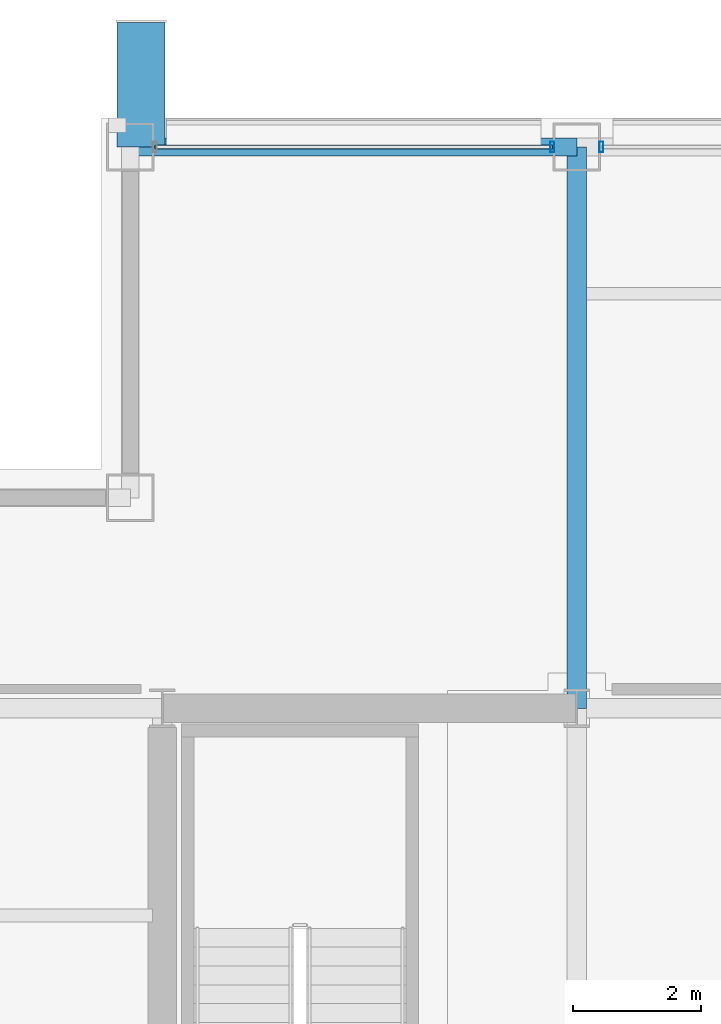
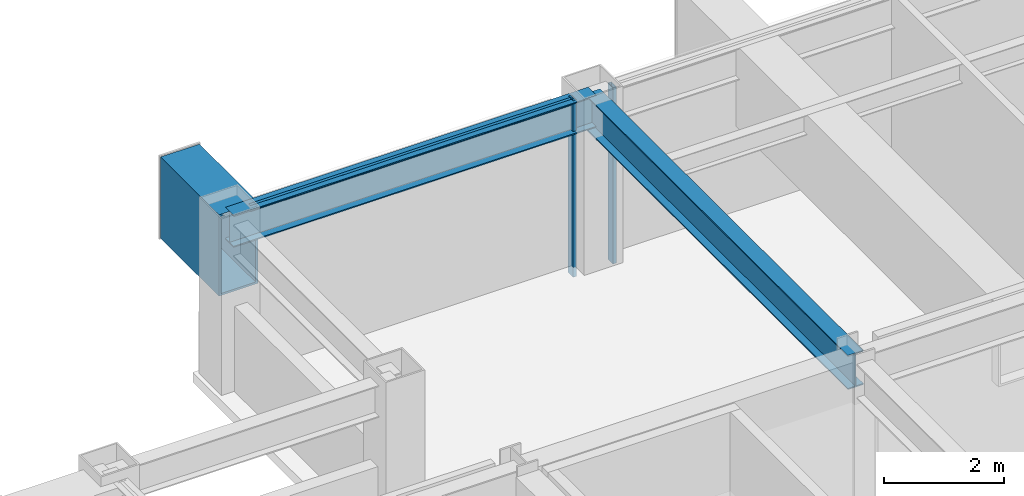
# One storey, part 19 of 28: 3 beams, 3 members, 2 elements without a shape of their own.
"""IFC4 building model written with IfcOpenShell, lengths in metres."""

from ifc_helpers import new_model, si_unit, direction, frame, origin, origin_2d, place, context, subcontext, project, spatial, hollow_rectangle, i_section, extrude, material, layer, layer_set, material_profile, profile_set, type_object, element, aggregate, save


model = new_model("IFC4")

# Units and contexts
model_context = context("Model", 3, precision=1e-05, world=origin(), true_north=direction((0.0, 1.0)))
body_context = subcontext(model_context, "Body", "Model", "MODEL_VIEW")
ifc_project = project(units=[si_unit("LENGTHUNIT", "METRE"), si_unit("AREAUNIT", "SQUARE_METRE"), si_unit("VOLUMEUNIT", "CUBIC_METRE"), si_unit("PLANEANGLEUNIT", "RADIAN"), si_unit("MASSUNIT", "GRAM", prefix="KILO")], contexts=[model_context])

# Site, building, storey
site_placement = place(None, origin())
site = spatial("IfcSite", under=ifc_project, at=site_placement, CompositionType="ELEMENT")
building_placement = place(site_placement, origin())
building = spatial("IfcBuilding", under=site, at=building_placement, Name="Brelmoor Portico Tower", CompositionType="ELEMENT")
storey_placement = place(building_placement, frame((0.0, 0.0, 155.10009765625)))
storey = spatial("IfcBuildingStorey", under=building, at=storey_placement, Name="L40", CompositionType="ELEMENT", Elevation=155.10009765625)

# Beams
ifc_material_1 = material(Name="Steel Q355B", Category="steel")
ifc_material_profile_1 = material_profile(ifc_material_1, hollow_rectangle(XDim=0.75, YDim=1.659912109375, WallThickness=0.0419921875, at=origin_2d()), Name="BOX 750x1660x42")
ifc_profile_set_1 = profile_set([ifc_material_profile_1], Name="Steel Q355B")
beam_type_1 = type_object("IfcBeamType", Name="BM-PF-CANT", PredefinedType="BEAM", material=ifc_profile_set_1)
beam_1_placement = place(storey_placement, frame((-14.8798828125, 18.550048828125, 2.56982421875), z_axis=(0.0, 1.0, 0.0), x_axis=(-1.0, 0.0, 0.0)))
element("IfcBeam", 1, at=beam_1_placement, inside=storey, type_object=beam_type_1, Name="L40 Picture-Frame Outrigger Transfer Cantilever PFB-03", PredefinedType="BEAM", context=body_context, shape_type="SweptSolid", body=[
    extrude(hollow_rectangle(XDim=0.75, YDim=1.659912109375, WallThickness=0.0419921875, at=origin_2d()), origin(), (0.0, 0.0, 1.0), 1.949951171875),
])
ifc_material_profile_2 = material_profile(ifc_material_1, i_section(OverallWidth=0.300048828125, OverallDepth=0.699951171875, WebThickness=0.012939453125, FlangeThickness=0.02392578125, at=origin_2d()), Name="HN 700x300x13x24")
ifc_profile_set_2 = profile_set([ifc_material_profile_2], Name="Steel Q355B")
beam_type_2 = type_object("IfcBeamType", Name="BM-PG-700", PredefinedType="BEAM", material=ifc_profile_set_2)
beam_2_placement = place(storey_placement, frame((-8.050048828125, 9.75, 3.0498046875), z_axis=(0.0, 1.0, 0.0), x_axis=(-1.0, 0.0, 0.0)))
element("IfcBeam", 2, at=beam_2_placement, inside=storey, type_object=beam_type_2, Name="L40 Primary Floor Girder PG-05", PredefinedType="BEAM", context=body_context, shape_type="SweptSolid", body=[
    extrude(i_section(OverallWidth=0.300048828125, OverallDepth=0.699951171875, WebThickness=0.012939453125, FlangeThickness=0.02392578125, at=origin_2d()), origin(), (0.0, 0.0, 1.0), 8.800048828125),
])
ifc_material_profile_3 = material_profile(ifc_material_1, i_section(OverallWidth=0.280029296875, OverallDepth=0.64990234375, WebThickness=0.012939453125, FlangeThickness=0.02197265625, at=origin_2d()), Name="HN 650x280x13x22")
ifc_profile_set_3 = profile_set([ifc_material_profile_3], Name="Steel Q355B")
beam_type_3 = type_object("IfcBeamType", Name="BM-SP-650", PredefinedType="SPANDREL", material=ifc_profile_set_3)
beam_3_placement = place(storey_placement, frame((-15.050048828125, 18.550048828125, 3.074951171875), z_axis=(1.0, 0.0, 0.0), x_axis=(0.0, 1.0, 0.0)))
element("IfcBeam", 3, at=beam_3_placement, inside=storey, type_object=beam_type_3, Name="L40 Perimeter Spandrel Beam SP-08", PredefinedType="SPANDREL", context=body_context, shape_type="SweptSolid", body=[
    extrude(i_section(OverallWidth=0.280029296875, OverallDepth=0.64990234375, WebThickness=0.012939453125, FlangeThickness=0.02197265625, at=origin_2d()), origin(), (0.0, 0.0, 1.0), 7.0),
])

# Curtain wall, member
ifc_material_2 = material(Name="Anodised Aluminium Alloy 6063-T6", Category="aluminium")
ifc_layer = layer(ifc_material_2, 0.179931640625)
ifc_layer_set = layer_set([ifc_layer], Name="Anodised Aluminium Alloy 6063-T6")
curtain_wall_type = type_object("IfcCurtainWallType", Name="CW-TOWER-Z3-XB", PredefinedType="NOTDEFINED", material=ifc_layer_set)
curtain_wall_1_placement = place(storey_placement, origin())
curtain_wall_1 = element("IfcCurtainWall", 4, at=curtain_wall_1_placement, inside=storey, type_object=curtain_wall_type, Name="L40 Curtain Wall CW-L40-02-1", PredefinedType="NOTDEFINED")
ifc_material_profile_4 = material_profile(ifc_material_2, hollow_rectangle(XDim=0.06494140625, YDim=0.1650390625, WallThickness=0.00390625, at=origin_2d()), Name="ALU MULLION 65x165")
ifc_profile_set_4 = profile_set([ifc_material_profile_4], Name="Anodised Aluminium Alloy 6063-T6")
member_type_1 = type_object("IfcMemberType", Name="MB-CW-MULL-165", PredefinedType="MULLION", material=ifc_profile_set_4)
member_1_placement = place(storey_placement, frame((-8.43505859375, 18.550048828125, -0.2001953125), z_axis=(0.0, 0.0, 1.0), x_axis=(1.0, 0.0, 0.0)))
member_1 = element("IfcMember", 5, at=member_1_placement, type_object=member_type_1, Name="CW-L40-02-1 Mullion 01", PredefinedType="MULLION", context=body_context, shape_type="SweptSolid", body=[
    extrude(hollow_rectangle(XDim=0.06494140625, YDim=0.1650390625, WallThickness=0.00390625, at=origin_2d()), origin(), (0.0, 0.0, 1.0), 3.60009765625),
])

curtain_wall_2_placement = place(storey_placement, origin())
curtain_wall_2 = element("IfcCurtainWall", 6, at=curtain_wall_2_placement, inside=storey, type_object=curtain_wall_type, Name="L40 Curtain Wall CW-L40-02-2", PredefinedType="NOTDEFINED")
member_2_placement = place(storey_placement, frame((-7.6650390625, 18.550048828125, -0.2001953125), z_axis=(0.0, 0.0, 1.0), x_axis=(1.0, 0.0, 0.0)))
member_2 = element("IfcMember", 7, at=member_2_placement, type_object=member_type_1, Name="CW-L40-02-2 Mullion 00", PredefinedType="MULLION", context=body_context, shape_type="SweptSolid", body=[
    extrude(hollow_rectangle(XDim=0.06494140625, YDim=0.1650390625, WallThickness=0.00390625, at=origin_2d()), origin(), (0.0, 0.0, 1.0), 3.60009765625),
])
aggregate(curtain_wall_2, [member_2])

# Member
ifc_material_profile_5 = material_profile(ifc_material_2, hollow_rectangle(XDim=0.06005859375, YDim=0.125, WallThickness=0.00341796875, at=origin_2d()), Name="ALU TRANSOM 60x125")
ifc_profile_set_5 = profile_set([ifc_material_profile_5], Name="Anodised Aluminium Alloy 6063-T6")
member_type_2 = type_object("IfcMemberType", Name="MB-CW-TRAN-125", PredefinedType="USERDEFINED", material=ifc_profile_set_5)
member_3_placement = place(storey_placement, frame((-14.6650390625, 18.550048828125, 3.33740234375), z_axis=(1.0, 0.0, 0.0), x_axis=(0.0, 1.0, 0.0)))
member_3 = element("IfcMember", 8, at=member_3_placement, type_object=member_type_2, Name="CW-L40-02-1 Transom 1-00", ObjectType="TRANSOM", PredefinedType="USERDEFINED", context=body_context, shape_type="SweptSolid", body=[
    extrude(hollow_rectangle(XDim=0.06005859375, YDim=0.125, WallThickness=0.00341796875, at=origin_2d()), origin(), (0.0, 0.0, 1.0), 6.22998046875),
])

aggregate(curtain_wall_1, [member_1, member_3])

save(model, "model.ifc")
